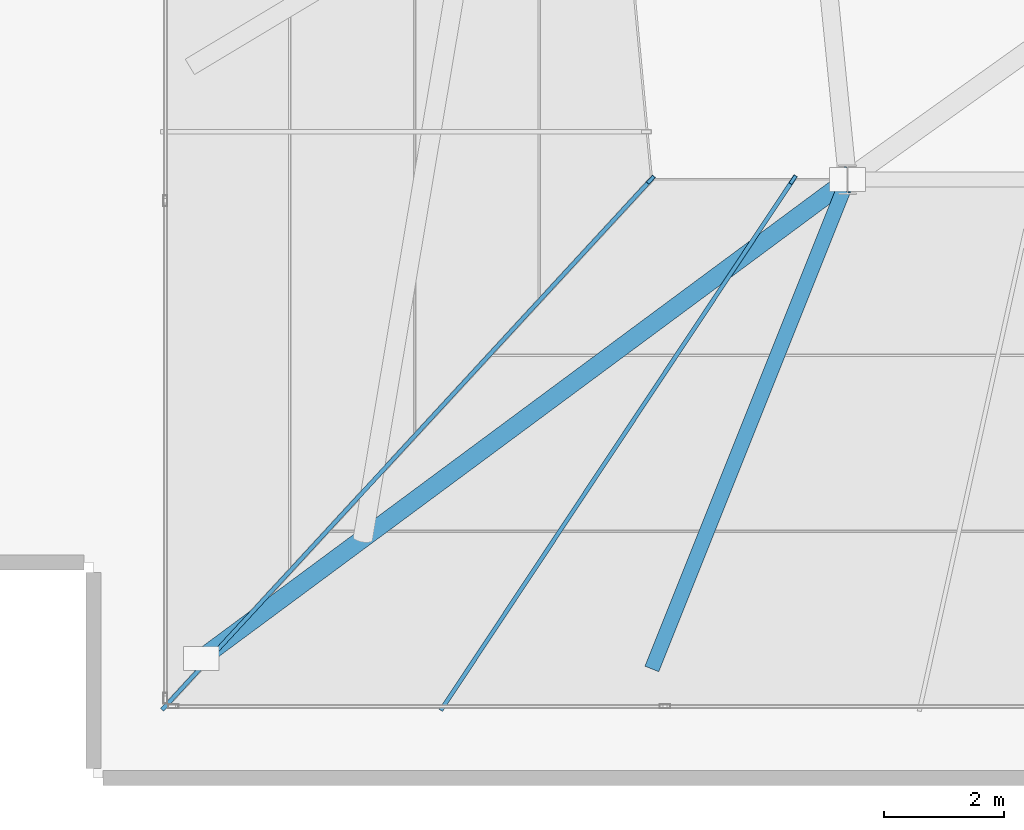
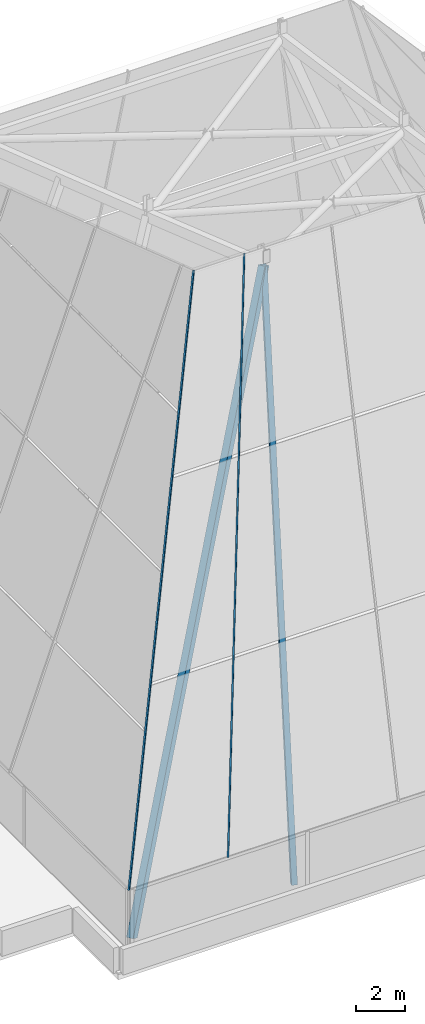
# One storey, part 2 of 32: 4 members, 2 elements without a shape of their own.
"""IFC4 building model written with IfcOpenShell, lengths in metres."""

from ifc_helpers import new_model, si_unit, direction, frame, origin, origin_2d, place, context, subcontext, project, spatial, hollow_rectangle, extrude, source, transform, mapped, material, layer, layer_set, material_profile, profile_set, type_object, element, aggregate, save


model = new_model("IFC4")

# Units and contexts
model_context = context("Model", 3, precision=1e-05, world=origin(), true_north=direction((0.0, 1.0)))
body_context = subcontext(model_context, "Body", "Model", "MODEL_VIEW")
ifc_project = project(units=[si_unit("LENGTHUNIT", "METRE"), si_unit("AREAUNIT", "SQUARE_METRE"), si_unit("VOLUMEUNIT", "CUBIC_METRE"), si_unit("PLANEANGLEUNIT", "RADIAN"), si_unit("MASSUNIT", "GRAM", prefix="KILO")], contexts=[model_context])

# Site, building, storey
site_placement = place(None, origin())
site = spatial("IfcSite", under=ifc_project, at=site_placement, CompositionType="ELEMENT")
building_placement = place(site_placement, origin())
building = spatial("IfcBuilding", under=site, at=building_placement, Name="Sumidabori Civic Tower", CompositionType="ELEMENT")
storey_placement = place(building_placement, frame((0.0, 0.0, 298.199951171875)))
storey = spatial("IfcBuildingStorey", under=building, at=storey_placement, Name="RF Roof Crown", CompositionType="ELEMENT", Elevation=298.199951171875)

# Members
ifc_material_1 = material(Name="Steel SN490", Category="steel")
ifc_material_profile_1 = material_profile(ifc_material_1, hollow_rectangle(XDim=0.300048828125, YDim=0.5, WallThickness=0.02001953125, at=origin_2d()), Name="RHS 500x300x20")
ifc_profile_set_1 = profile_set([ifc_material_profile_1], Name="Steel SN490")
member_type_1 = type_object("IfcMemberType", Name="MB-CRN-RAFTER", PredefinedType="RAFTER", material=ifc_profile_set_1)
shared_shape_1 = source(origin(), body_context, "Body", "SweptSolid", [
    extrude(hollow_rectangle(XDim=0.300048828125, YDim=0.5, WallThickness=0.02001953125, at=origin_2d()), origin(), (0.0, 0.0, 1.0), 28.119873046875),
])
member_1_placement = place(storey_placement, frame((-16.0, -10.0, 0.0), z_axis=(0.384071413459, 0.284496057061, 0.878379839751), x_axis=(-0.595225812977, 0.803558480489, 0.0)))
element("IfcMember", 1, at=member_1_placement, inside=storey, type_object=member_type_1, Name="Crown Structural Rafter RF-SW", PredefinedType="RAFTER", context=body_context, shape_type="MappedRepresentation", body=[
    mapped(shared_shape_1, transform((0.0, 0.0, 0.0), x_axis=(1.0, 0.0, 0.0), y_axis=(0.0, 1.0, 0.0), z_axis=(0.0, 0.0, 1.0), scale=1.0)),
])
ifc_material_profile_2 = material_profile(ifc_material_1, hollow_rectangle(XDim=0.25, YDim=0.39990234375, WallThickness=0.01611328125, at=origin_2d()), Name="RHS 400x250x16")
ifc_profile_set_2 = profile_set([ifc_material_profile_2], Name="Steel SN490")
member_type_2 = type_object("IfcMemberType", Name="MB-CRN-HIP", PredefinedType="RAFTER", material=ifc_profile_set_2)
shared_shape_2 = source(origin(), body_context, "Body", "SweptSolid", [
    extrude(hollow_rectangle(XDim=0.25, YDim=0.39990234375, WallThickness=0.01611328125, at=origin_2d()), origin(), (0.0, 0.0, 1.0), 26.15966796875),
])
member_2_placement = place(storey_placement, frame((-8.39990234375, -10.0, 0.0), z_axis=(0.122323930237, 0.305814491952, 0.944200377358), x_axis=(-0.928478645005, 0.371385791018, 0.0)))
element("IfcMember", 2, at=member_2_placement, inside=storey, type_object=member_type_2, Name="Crown Structural Rafter RF-SCW", PredefinedType="RAFTER", context=body_context, shape_type="MappedRepresentation", body=[
    mapped(shared_shape_2, transform((0.0, 0.0, 0.0), x_axis=(1.0, 0.0, 0.0), y_axis=(0.0, 1.0, 0.0), z_axis=(0.0, 0.0, 1.0), scale=1.0)),
])

# Curtain wall, member
ifc_material_2 = material(Name="Anodised Bronze Aluminium AW-6063-T6", Category="aluminium")
ifc_layer = layer(ifc_material_2, 0.179931640625, Name="Anodised Bronze Aluminium AW-6063-T6")
ifc_layer_set = layer_set([ifc_layer], Name="Anodised Bronze Aluminium AW-6063-T6")
curtain_wall_type = type_object("IfcCurtainWallType", Name="CW-SYS-6", PredefinedType="NOTDEFINED", material=ifc_layer_set)
curtain_wall_1_placement = place(storey_placement, origin())
curtain_wall_1 = element("IfcCurtainWall", 3, at=curtain_wall_1_placement, inside=storey, type_object=curtain_wall_type, Name="Glass-Point Crown South Prow Curtain Wall", PredefinedType="NOTDEFINED")
ifc_material_profile_3 = material_profile(ifc_material_2, hollow_rectangle(XDim=0.070068359375, YDim=0.179931640625, WallThickness=0.006103515625, at=origin_2d()), Name="ALU MULLION 180x70")
ifc_profile_set_3 = profile_set([ifc_material_profile_3], Name="Anodised Bronze Aluminium AW-6063-T6")
member_type_3 = type_object("IfcMemberType", Name="CW-MUL-180", PredefinedType="MULLION", material=ifc_profile_set_3)
shared_shape_3 = source(origin(), body_context, "Body", "SweptSolid", [
    extrude(hollow_rectangle(XDim=0.070068359375, YDim=0.179931640625, WallThickness=0.006103515625, at=origin_2d()), origin(), (0.0, 0.0, 1.0), 24.892333984375),
])
member_3_placement = place(storey_placement, frame((-11.951904296875, -10.800048828125, 3.050048828125), z_axis=(0.234702520383, 0.353524962274, 0.905502527868), x_axis=(-0.833115519054, 0.553099025412, 0.0)))
member_3 = element("IfcMember", 4, at=member_3_placement, type_object=member_type_3, Name="Crown South Prow Sloped Mullion M1", PredefinedType="MULLION", context=body_context, shape_type="MappedRepresentation", body=[
    mapped(shared_shape_3, transform((0.0, 0.0, 0.0), x_axis=(1.0, 0.0, 0.0), y_axis=(0.0, 1.0, 0.0), z_axis=(0.0, 0.0, 1.0), scale=1.0)),
])
aggregate(curtain_wall_1, [member_3])

curtain_wall_2_placement = place(storey_placement, origin())
curtain_wall_2 = element("IfcCurtainWall", 5, at=curtain_wall_2_placement, inside=storey, type_object=curtain_wall_type, Name="Glass-Point Crown West Cheek Curtain Wall", PredefinedType="NOTDEFINED")
shared_shape_4 = source(origin(), body_context, "Body", "SweptSolid", [
    extrude(hollow_rectangle(XDim=0.070068359375, YDim=0.179931640625, WallThickness=0.006103515625, at=origin_2d()), origin(), (0.0, 0.0, 1.0), 25.521240234375),
])
member_4_placement = place(storey_placement, frame((-16.60009765625, -10.800048828125, 3.050048828125), z_axis=(0.317949544266, 0.344811244188, 0.883183612384), x_axis=(-0.735162253578, 0.677891186633, 0.0)))
member_4 = element("IfcMember", 6, at=member_4_placement, type_object=member_type_3, Name="Crown South-West Hip Mullion", PredefinedType="MULLION", context=body_context, shape_type="MappedRepresentation", body=[
    mapped(shared_shape_4, transform((0.0, 0.0, 0.0), x_axis=(1.0, 0.0, 0.0), y_axis=(0.0, 1.0, 0.0), z_axis=(0.0, 0.0, 1.0), scale=1.0)),
])
aggregate(curtain_wall_2, [member_4])

save(model, "model.ifc")
